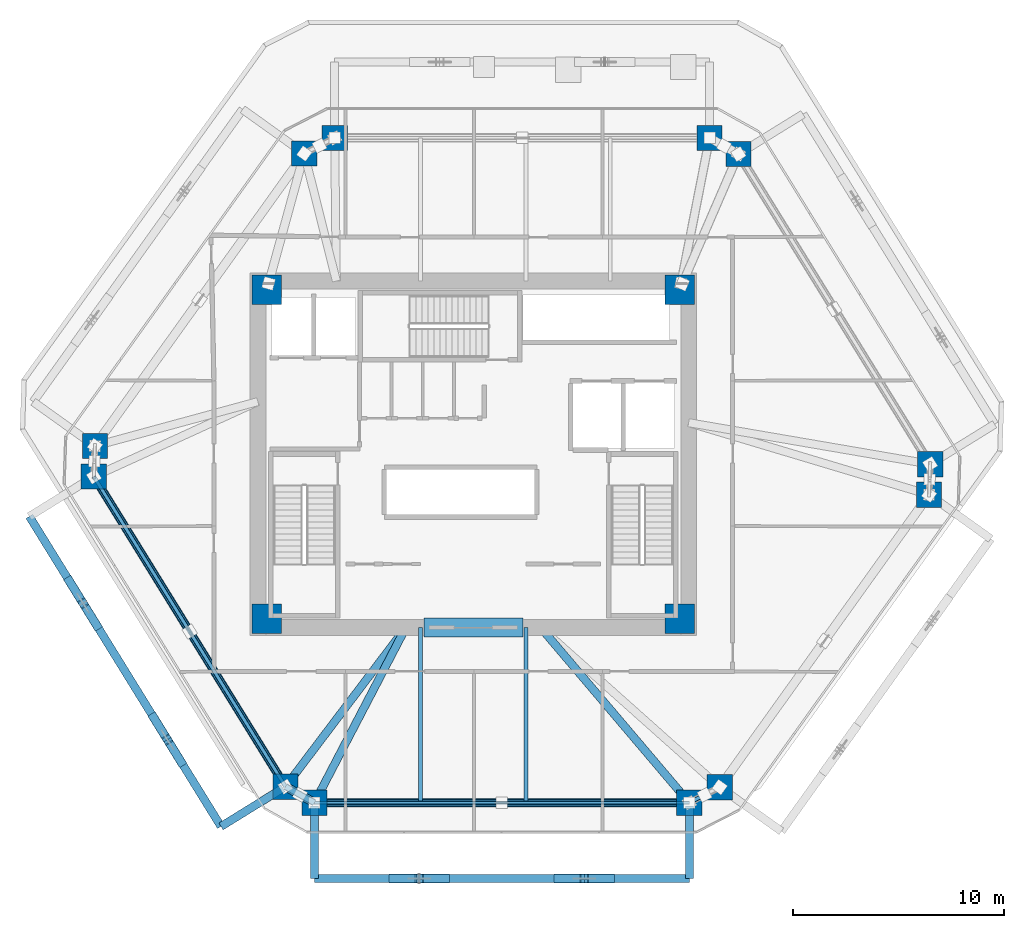
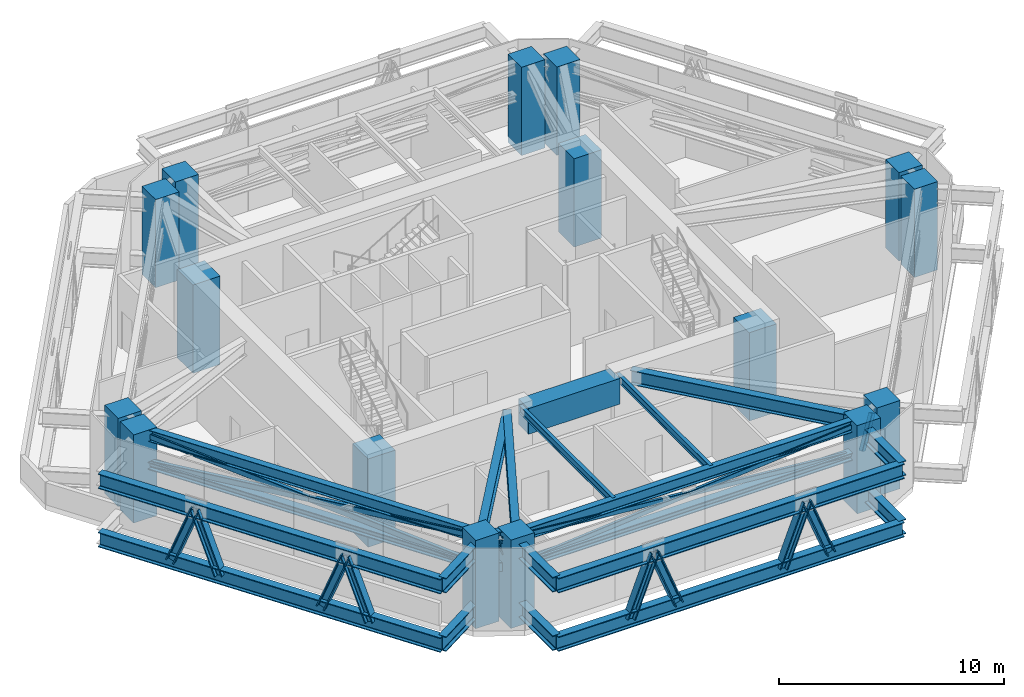
# One storey, part 1 of 11: 20 members, 19 beams, 16 columns.
"""IFC4 building model written with IfcOpenShell, lengths in metres."""

from ifc_helpers import new_model, si_unit, direction, frame, origin, origin_2d, place, context, subcontext, project, spatial, rectangle, hollow_rectangle, i_section, extrude, source, transform, mapped, material, material_profile, profile_set, type_object, type_shapes, element, save


model = new_model("IFC4")

# Units and contexts
model_context = context("Model", 3, precision=1e-05, world=origin(), true_north=direction((0.0, 1.0)))
body_context = subcontext(model_context, "Body", "Model", "MODEL_VIEW")
ifc_project = project(units=[si_unit("LENGTHUNIT", "METRE"), si_unit("AREAUNIT", "SQUARE_METRE"), si_unit("VOLUMEUNIT", "CUBIC_METRE"), si_unit("PLANEANGLEUNIT", "RADIAN"), si_unit("MASSUNIT", "GRAM", prefix="KILO")], contexts=[model_context])

# Site, building, storey
site_placement = place(None, origin())
site = spatial("IfcSite", under=ifc_project, at=site_placement, CompositionType="ELEMENT")
building_placement = place(site_placement, origin())
building = spatial("IfcBuilding", under=site, at=building_placement, Name="Durnholm Broadcast Tower", CompositionType="ELEMENT")
storey_placement = place(building_placement, frame((0.0, 0.0, 150.300048828125)))
storey = spatial("IfcBuildingStorey", under=building, at=storey_placement, Name="L41", CompositionType="ELEMENT", Elevation=150.300048828125)

# Columns
ifc_material_1 = material(Name="Concrete C70/85", Category="concrete")
ifc_material_profile_1 = material_profile(ifc_material_1, rectangle(XDim=1.39990234375, YDim=1.39990234375, at=origin_2d()), Name="RC1400X1400")
ifc_profile_set_1 = profile_set([ifc_material_profile_1], Name="Concrete C70/85")
column_type_1 = type_object("IfcColumnType", Name="COL-CC-1400", PredefinedType="COLUMN", material=ifc_profile_set_1)
shared_shape_1 = source(origin(), body_context, "Body", "SweptSolid", [
    extrude(rectangle(XDim=1.39990234375, YDim=1.39990234375, at=origin_2d()), origin(), (0.0, 0.0, 1.0), 4.800048828125),
])
type_shapes(column_type_1, [shared_shape_1])
for number, where, z_axis, x_axis, name in (
    (1, (-9.800048828125, -7.800048828125, -0.320068359375), (0.0, 0.0, 1.0), (1.0, 0.0, 0.0), "L41 core corner column 1"),
    (2, (9.800048828125, -7.800048828125, -0.320068359375), (0.0, 0.0, 1.0), (1.0, 0.0, 0.0), "L41 core corner column 2"),
    (3, (9.800048828125, 7.800048828125, -0.320068359375), (0.0, 0.0, 1.0), (1.0, 0.0, 0.0), "L41 core corner column 3"),
    (4, (-9.800048828125, 7.800048828125, -0.320068359375), (0.0, 0.0, 1.0), (1.0, 0.0, 0.0), "L41 core corner column 4"),
):
    element("IfcColumn", number, at=place(storey_placement, frame(where, z_axis=z_axis, x_axis=x_axis)), inside=storey, type_object=column_type_1, Name=name, PredefinedType="COLUMN", context=body_context, shape_type="MappedRepresentation", body=[
        mapped(shared_shape_1, transform((0.0, 0.0, 0.0), x_axis=(1.0, 0.0, 0.0), y_axis=(0.0, 1.0, 0.0), z_axis=(0.0, 0.0, 1.0), scale=1.0)),
    ])
ifc_material_profile_2 = material_profile(ifc_material_1, rectangle(XDim=1.199951171875, YDim=1.199951171875, at=origin_2d()), Name="RC1200X1200")
ifc_profile_set_2 = profile_set([ifc_material_profile_2], Name="Concrete C70/85")
column_type_2 = type_object("IfcColumnType", Name="COL-CC-1200", PredefinedType="COLUMN", material=ifc_profile_set_2)
shared_shape_2 = source(origin(), body_context, "Body", "SweptSolid", [
    extrude(rectangle(XDim=1.199951171875, YDim=1.199951171875, at=origin_2d()), origin(), (0.0, 0.0, 1.0), 4.800048828125),
])
type_shapes(column_type_2, [shared_shape_2])
for number, where, z_axis, x_axis, name in (
    (5, (-8.91259765625, -15.7763671875, -0.320068359375), (0.0, 0.0, 1.0), (1.0, 0.0, 0.0), "L41 perimeter hexagonal tube column 01"),
    (6, (-18.009033203125, -1.056640625, -0.320068359375), (0.0, 0.0, 1.0), (1.0, 0.0, 0.0), "L41 perimeter hexagonal tube column 02"),
    (7, (-17.9599609375, 0.3955078125, -0.320068359375), (0.0, 0.0, 1.0), (1.0, 0.0, 0.0), "L41 perimeter hexagonal tube column 03"),
    (8, (-8.021728515625, 14.2763671875, -0.320068359375), (0.0, 0.0, 1.0), (1.0, 0.0, 0.0), "L41 perimeter hexagonal tube column 04"),
    (9, (-6.57861328125, 15.01806640625, -0.320068359375), (0.0, 0.0, 1.0), (1.0, 0.0, 0.0), "L41 perimeter hexagonal tube column 05"),
    (10, (11.217529296875, 15.01806640625, -0.320068359375), (0.0, 0.0, 1.0), (1.0, 0.0, 0.0), "L41 perimeter hexagonal tube column 06"),
    (11, (12.5908203125, 14.252197265625, -0.320068359375), (0.0, 0.0, 1.0), (1.0, 0.0, 0.0), "L41 perimeter hexagonal tube column 07"),
    (12, (21.68701171875, -0.46728515625, -0.320068359375), (0.0, 0.0, 1.0), (1.0, 0.0, 0.0), "L41 perimeter hexagonal tube column 08"),
    (13, (21.637939453125, -1.919677734375, -0.320068359375), (0.0, 0.0, 1.0), (1.0, 0.0, 0.0), "L41 perimeter hexagonal tube column 09"),
    (14, (11.69970703125, -15.80029296875, -0.320068359375), (0.0, 0.0, 1.0), (1.0, 0.0, 0.0), "L41 perimeter hexagonal tube column 10"),
    (15, (10.256591796875, -16.5419921875, -0.320068359375), (0.0, 0.0, 1.0), (1.0, 0.0, 0.0), "L41 perimeter hexagonal tube column 11"),
    (16, (-7.53955078125, -16.5419921875, -0.320068359375), (0.0, 0.0, 1.0), (1.0, 0.0, 0.0), "L41 perimeter hexagonal tube column 12"),
):
    element("IfcColumn", number, at=place(storey_placement, frame(where, z_axis=z_axis, x_axis=x_axis)), inside=storey, type_object=column_type_2, Name=name, PredefinedType="COLUMN", context=body_context, shape_type="MappedRepresentation", body=[
        mapped(shared_shape_2, transform((0.0, 0.0, 0.0), x_axis=(1.0, 0.0, 0.0), y_axis=(0.0, 1.0, 0.0), z_axis=(0.0, 0.0, 1.0), scale=1.0)),
    ])

# Beams
ifc_material_profile_3 = material_profile(ifc_material_1, rectangle(XDim=0.89990234375, YDim=1.39990234375, at=origin_2d()), Name="RC900X1400")
ifc_profile_set_3 = profile_set([ifc_material_profile_3], Name="Concrete C70/85")
beam_type_1 = type_object("IfcBeamType", Name="BM-CB-RC1400", PredefinedType="LINTEL", material=ifc_profile_set_3)
shared_shape_3 = source(origin(), body_context, "Body", "SweptSolid", [
    extrude(rectangle(XDim=0.89990234375, YDim=1.39990234375, at=origin_2d()), origin(), (0.0, 0.0, 1.0), 4.7001953125),
])
type_shapes(beam_type_1, [shared_shape_3])
beam_1_placement = place(storey_placement, frame((-2.35009765625, -8.22509765625, 3.77490234375), z_axis=(1.0, 0.0, 0.0), x_axis=(0.0, 1.0, 0.0)))
element("IfcBeam", 17, at=beam_1_placement, inside=storey, type_object=beam_type_1, Name="L41 south core coupling lintel beam CB-S", PredefinedType="LINTEL", context=body_context, shape_type="MappedRepresentation", body=[
    mapped(shared_shape_3, transform((0.0, 0.0, 0.0), x_axis=(1.0, 0.0, 0.0), y_axis=(0.0, 1.0, 0.0), z_axis=(0.0, 0.0, 1.0), scale=1.0)),
])
ifc_material_2 = material(Name="Steel ASTM A992 Grade 50", Category="steel")
ifc_material_profile_4 = material_profile(ifc_material_2, i_section(OverallWidth=0.385009765625, OverallDepth=0.802978515625, WebThickness=0.023681640625, FlangeThickness=0.0419921875, FilletRadius=0.032958984375, at=origin_2d()), Name="W30X261")
ifc_profile_set_4 = profile_set([ifc_material_profile_4], Name="Steel ASTM A992 Grade 50")
beam_type_2 = type_object("IfcBeamType", Name="BM-EXO-TIE", PredefinedType="USERDEFINED", material=ifc_profile_set_4)
shared_shape_4 = source(origin(), body_context, "Body", "SweptSolid", [
    extrude(i_section(OverallWidth=0.385009765625, OverallDepth=0.802978515625, WebThickness=0.023681640625, FlangeThickness=0.0419921875, FilletRadius=0.032958984375, at=origin_2d()), origin(), (0.0, 0.0, 1.0), 3.4560546875),
])
for number, where, z_axis, x_axis, name in (
    (18, (-7.53955078125, -16.68603515625, 0.550048828125), (0.0, -1.0, 0.0), (1.0, 0.0, 0.0), "L41 zone-base exoskeleton stand-off tie bracket F1.1"),
    (19, (10.256591796875, -16.68603515625, 0.550048828125), (0.0, -1.0, 0.0), (1.0, 0.0, 0.0), "L41 zone-base exoskeleton stand-off tie bracket F1.2"),
    (20, (-7.53955078125, -16.68603515625, 3.728515625), (0.0, -1.0, 0.0), (1.0, 0.0, 0.0), "L41 exoskeleton stand-off tie bracket F1.1"),
    (21, (10.256591796875, -16.68603515625, 3.728515625), (0.0, -1.0, 0.0), (1.0, 0.0, 0.0), "L41 exoskeleton stand-off tie bracket F1.2"),
    (22, (-9.03515625, -15.85205078125, 0.550048828125), (-0.850693939061, -0.525661318764, 0.0), (0.525661318764, -0.850693939061, 0.0), "L41 zone-base exoskeleton stand-off tie bracket F6.2"),
    (23, (-9.03515625, -15.85205078125, 3.728515625), (-0.850693939061, -0.525661318764, 0.0), (0.525661318764, -0.850693939061, 0.0), "L41 exoskeleton stand-off tie bracket F6.2"),
):
    element("IfcBeam", number, at=place(storey_placement, frame(where, z_axis=z_axis, x_axis=x_axis)), inside=storey, type_object=beam_type_2, Name=name, ObjectType="GIRDER", PredefinedType="USERDEFINED", context=body_context, shape_type="MappedRepresentation", body=[
        mapped(shared_shape_4, transform((0.0, 0.0, 0.0), x_axis=(1.0, 0.0, 0.0), y_axis=(0.0, 1.0, 0.0), z_axis=(0.0, 0.0, 1.0), scale=1.0)),
    ])
ifc_material_profile_5 = material_profile(ifc_material_2, i_section(OverallWidth=0.3251953125, OverallDepth=0.6162109375, WebThickness=0.013916015625, FlangeThickness=0.021484375, FilletRadius=0.02783203125, at=origin_2d()), Name="W24X117")
ifc_profile_set_5 = profile_set([ifc_material_profile_5], Name="Steel ASTM A992 Grade 50")
beam_type_3 = type_object("IfcBeamType", Name="STL-SP-W24X117", PredefinedType="SPANDREL", material=ifc_profile_set_5)
shared_shape_5 = source(origin(), body_context, "Body", "SweptSolid", [
    extrude(i_section(OverallWidth=0.3251953125, OverallDepth=0.6162109375, WebThickness=0.013916015625, FlangeThickness=0.021484375, FilletRadius=0.02783203125, at=origin_2d()), origin(), (0.0, 0.0, 1.0), 17.3037109375),
])
beam_2_placement = place(storey_placement, frame((-8.91259765625, -15.7763671875, 4.15673828125), z_axis=(-0.525695324718, 0.850672925142, 0.0), x_axis=(-0.850672925142, -0.525695324718, 0.0)))
element("IfcBeam", 24, at=beam_2_placement, inside=storey, type_object=beam_type_3, Name="L41 perimeter spandrel girder 01", PredefinedType="SPANDREL", context=body_context, shape_type="MappedRepresentation", body=[
    mapped(shared_shape_5, transform((0.0, 0.0, 0.0), x_axis=(1.0, 0.0, 0.0), y_axis=(0.0, 1.0, 0.0), z_axis=(0.0, 0.0, 1.0), scale=1.0)),
])
shared_shape_6 = source(origin(), body_context, "Body", "SweptSolid", [
    extrude(i_section(OverallWidth=0.3251953125, OverallDepth=0.6162109375, WebThickness=0.013916015625, FlangeThickness=0.021484375, FilletRadius=0.02783203125, at=origin_2d()), origin(), (0.0, 0.0, 1.0), 17.796142578125),
])
beam_3_placement = place(storey_placement, frame((10.256591796875, -16.5419921875, 4.15673828125), z_axis=(-1.0, 0.0, 0.0), x_axis=(0.0, -1.0, 0.0)))
element("IfcBeam", 25, at=beam_3_placement, inside=storey, type_object=beam_type_3, Name="L41 perimeter spandrel girder 11", PredefinedType="SPANDREL", context=body_context, shape_type="MappedRepresentation", body=[
    mapped(shared_shape_6, transform((0.0, 0.0, 0.0), x_axis=(1.0, 0.0, 0.0), y_axis=(0.0, 1.0, 0.0), z_axis=(0.0, 0.0, 1.0), scale=1.0)),
])
shared_shape_7 = source(origin(), body_context, "Body", "SweptSolid", [
    extrude(i_section(OverallWidth=0.3251953125, OverallDepth=0.6162109375, WebThickness=0.013916015625, FlangeThickness=0.021484375, FilletRadius=0.02783203125, at=origin_2d()), origin(), (0.0, 0.0, 1.0), 1.572021484375),
])
type_shapes(beam_type_3, [shared_shape_5, shared_shape_6, shared_shape_7])
beam_4_placement = place(storey_placement, frame((-7.53955078125, -16.5419921875, 4.15673828125), z_axis=(-0.873394362663, 0.487013641769, 0.0), x_axis=(-0.487013641769, -0.873394362663, 0.0)))
element("IfcBeam", 26, at=beam_4_placement, inside=storey, type_object=beam_type_3, Name="L41 perimeter spandrel girder 12", PredefinedType="SPANDREL", context=body_context, shape_type="MappedRepresentation", body=[
    mapped(shared_shape_7, transform((0.0, 0.0, 0.0), x_axis=(1.0, 0.0, 0.0), y_axis=(0.0, 1.0, 0.0), z_axis=(0.0, 0.0, 1.0), scale=1.0)),
])
ifc_material_profile_6 = material_profile(ifc_material_2, i_section(OverallWidth=0.380615234375, OverallDepth=0.773193359375, WebThickness=0.0166015625, FlangeThickness=0.027099609375, FilletRadius=0.032958984375, at=origin_2d()), Name="W30X173")
ifc_profile_set_6 = profile_set([ifc_material_profile_6], Name="Steel ASTM A992 Grade 50")
beam_type_4 = type_object("IfcBeamType", Name="STL-GR-W30X173", PredefinedType="USERDEFINED", material=ifc_profile_set_6)
shared_shape_8 = source(origin(), body_context, "Body", "SweptSolid", [
    extrude(i_section(OverallWidth=0.380615234375, OverallDepth=0.773193359375, WebThickness=0.0166015625, FlangeThickness=0.027099609375, FilletRadius=0.032958984375, at=origin_2d()), origin(), (0.0, 0.0, 1.0), 9.46875),
])
beam_5_placement = place(storey_placement, frame((-3.199951171875, -8.22509765625, 4.078369140625), z_axis=(-0.603319922553, -0.797499260847, 0.0), x_axis=(0.797499260847, -0.603319922553, 0.0)))
element("IfcBeam", 27, at=beam_5_placement, inside=storey, type_object=beam_type_4, Name="L41 radial primary floor girder 01", ObjectType="GIRDER", PredefinedType="USERDEFINED", context=body_context, shape_type="MappedRepresentation", body=[
    mapped(shared_shape_8, transform((0.0, 0.0, 0.0), x_axis=(1.0, 0.0, 0.0), y_axis=(0.0, 1.0, 0.0), z_axis=(0.0, 0.0, 1.0), scale=1.0)),
])
shared_shape_9 = source(origin(), body_context, "Body", "SweptSolid", [
    extrude(i_section(OverallWidth=0.380615234375, OverallDepth=0.773193359375, WebThickness=0.0166015625, FlangeThickness=0.027099609375, FilletRadius=0.032958984375, at=origin_2d()), origin(), (0.0, 0.0, 1.0), 10.9072265625),
])
beam_6_placement = place(storey_placement, frame((3.199951171875, -8.22509765625, 4.078369140625), z_axis=(0.646971138264, -0.762514489209, 0.0), x_axis=(0.762514489209, 0.646971138264, 0.0)))
element("IfcBeam", 28, at=beam_6_placement, inside=storey, type_object=beam_type_4, Name="L41 radial primary floor girder 11", ObjectType="GIRDER", PredefinedType="USERDEFINED", context=body_context, shape_type="MappedRepresentation", body=[
    mapped(shared_shape_9, transform((0.0, 0.0, 0.0), x_axis=(1.0, 0.0, 0.0), y_axis=(0.0, 1.0, 0.0), z_axis=(0.0, 0.0, 1.0), scale=1.0)),
])
shared_shape_10 = source(origin(), body_context, "Body", "SweptSolid", [
    extrude(i_section(OverallWidth=0.380615234375, OverallDepth=0.773193359375, WebThickness=0.0166015625, FlangeThickness=0.027099609375, FilletRadius=0.032958984375, at=origin_2d()), origin(), (0.0, 0.0, 1.0), 9.381103515625),
])
type_shapes(beam_type_4, [shared_shape_8, shared_shape_9, shared_shape_10])
beam_7_placement = place(storey_placement, frame((-3.199951171875, -8.22509765625, 4.078369140625), z_axis=(-0.462595357135, -0.886569532274, 0.0), x_axis=(0.886569532274, -0.462595357135, 0.0)))
element("IfcBeam", 29, at=beam_7_placement, inside=storey, type_object=beam_type_4, Name="L41 radial primary floor girder 12", ObjectType="GIRDER", PredefinedType="USERDEFINED", context=body_context, shape_type="MappedRepresentation", body=[
    mapped(shared_shape_10, transform((0.0, 0.0, 0.0), x_axis=(1.0, 0.0, 0.0), y_axis=(0.0, 1.0, 0.0), z_axis=(0.0, 0.0, 1.0), scale=1.0)),
])
ifc_material_profile_7 = material_profile(ifc_material_2, i_section(OverallWidth=0.177734375, OverallDepth=0.40673828125, WebThickness=0.0078125, FlangeThickness=0.0126953125, FilletRadius=0.01904296875, at=origin_2d()), Name="W16X40")
ifc_profile_set_7 = profile_set([ifc_material_profile_7], Name="Steel ASTM A992 Grade 50")
beam_type_5 = type_object("IfcBeamType", Name="STL-BJ-W16X40", PredefinedType="JOIST", material=ifc_profile_set_7)
shared_shape_11 = source(origin(), body_context, "Body", "SweptSolid", [
    extrude(i_section(OverallWidth=0.177734375, OverallDepth=0.40673828125, WebThickness=0.0078125, FlangeThickness=0.0126953125, FilletRadius=0.01904296875, at=origin_2d()), origin(), (0.0, 0.0, 1.0), 8.31689453125),
])
type_shapes(beam_type_5, [shared_shape_11])
for number, where, z_axis, x_axis, name in (
    (30, (-2.5, -16.5419921875, 4.26171875), (0.0, 1.0, 0.0), (-1.0, 0.0, 0.0), "L41 secondary floor joist 5.1"),
    (31, (2.5, -16.5419921875, 4.26171875), (0.0, 1.0, 0.0), (-1.0, 0.0, 0.0), "L41 secondary floor joist 6.1"),
):
    element("IfcBeam", number, at=place(storey_placement, frame(where, z_axis=z_axis, x_axis=x_axis)), inside=storey, type_object=beam_type_5, Name=name, PredefinedType="JOIST", context=body_context, shape_type="MappedRepresentation", body=[
        mapped(shared_shape_11, transform((0.0, 0.0, 0.0), x_axis=(1.0, 0.0, 0.0), y_axis=(0.0, 1.0, 0.0), z_axis=(0.0, 0.0, 1.0), scale=1.0)),
    ])

# Members
ifc_material_profile_8 = material_profile(ifc_material_2, i_section(OverallWidth=0.4013671875, OverallDepth=0.3994140625, WebThickness=0.02490234375, FlangeThickness=0.03955078125, FilletRadius=0.030517578125, at=origin_2d()), Name="W14X211")
ifc_profile_set_8 = profile_set([ifc_material_profile_8], Name="Steel ASTM A992 Grade 50")
member_type_1 = type_object("IfcMemberType", Name="STL-TC-W14X211", PredefinedType="CHORD", material=ifc_profile_set_8)
shared_shape_12 = source(origin(), body_context, "Body", "SweptSolid", [
    extrude(i_section(OverallWidth=0.4013671875, OverallDepth=0.3994140625, WebThickness=0.02490234375, FlangeThickness=0.03955078125, FilletRadius=0.030517578125, at=origin_2d()), origin(), (0.0, 0.0, 1.0), 17.3037109375),
])
member_1_placement = place(storey_placement, frame((-8.91259765625, -15.7763671875, 2.550048828125), z_axis=(-0.525695324718, 0.850672925142, 0.0), x_axis=(-0.850672925142, -0.525695324718, 0.0)))
element("IfcMember", 32, at=member_1_placement, inside=storey, type_object=member_type_1, Name="L41 perimeter belt-truss bottom chord 01", PredefinedType="CHORD", context=body_context, shape_type="MappedRepresentation", body=[
    mapped(shared_shape_12, transform((0.0, 0.0, 0.0), x_axis=(1.0, 0.0, 0.0), y_axis=(0.0, 1.0, 0.0), z_axis=(0.0, 0.0, 1.0), scale=1.0)),
])
ifc_material_3 = material(Name="Steel ASTM A500 Grade C", Category="steel")
ifc_material_profile_9 = material_profile(ifc_material_3, hollow_rectangle(XDim=0.203125, YDim=0.3046875, WallThickness=0.01171875, InnerFilletRadius=0.017578125, OuterFilletRadius=0.029541015625, at=origin_2d()), Name="HSS12X8X1/2")
ifc_profile_set_9 = profile_set([ifc_material_profile_9], Name="Steel ASTM A500 Grade C")
member_type_2 = type_object("IfcMemberType", Name="STL-TB-HSS12X8", PredefinedType="BRACE", material=ifc_profile_set_9)
shared_shape_13 = source(origin(), body_context, "Body", "SweptSolid", [
    extrude(hollow_rectangle(XDim=0.203125, YDim=0.3046875, WallThickness=0.01171875, InnerFilletRadius=0.017578125, OuterFilletRadius=0.029541015625, at=origin_2d()), origin(), (0.0, 0.0, 1.0), 17.37548828125),
])
member_2_placement = place(storey_placement, frame((-8.91259765625, -15.7763671875, 2.550048828125), z_axis=(-0.523517876053, 0.847149407739, 0.090922573766), x_axis=(-0.850672925142, -0.525695324718, 0.0)))
element("IfcMember", 33, at=member_2_placement, inside=storey, type_object=member_type_2, Name="L41 belt-truss continuous X-diagonal brace 01", PredefinedType="BRACE", context=body_context, shape_type="MappedRepresentation", body=[
    mapped(shared_shape_13, transform((0.0, 0.0, 0.0), x_axis=(1.0, 0.0, 0.0), y_axis=(0.0, 1.0, 0.0), z_axis=(0.0, 0.0, 1.0), scale=1.0)),
])
shared_shape_14 = source(origin(), body_context, "Body", "SweptSolid", [
    extrude(hollow_rectangle(XDim=0.203125, YDim=0.3046875, WallThickness=0.01171875, InnerFilletRadius=0.017578125, OuterFilletRadius=0.029541015625, at=origin_2d()), origin(), (0.0, 0.0, 1.0), 8.687744140625),
])
member_3_placement = place(storey_placement, frame((-18.009033203125, -1.056640625, 2.550048828125), z_axis=(0.523508344831, -0.847156721417, 0.090909307828), x_axis=(0.850679234696, 0.525685114548, 0.0)))
element("IfcMember", 34, at=member_3_placement, inside=storey, type_object=member_type_2, Name="L41 belt-truss split X-diagonal segment 01.1", PredefinedType="BRACE", context=body_context, shape_type="MappedRepresentation", body=[
    mapped(shared_shape_14, transform((0.0, 0.0, 0.0), x_axis=(1.0, 0.0, 0.0), y_axis=(0.0, 1.0, 0.0), z_axis=(0.0, 0.0, 1.0), scale=1.0)),
])
shared_shape_15 = source(origin(), body_context, "Body", "SweptSolid", [
    extrude(hollow_rectangle(XDim=0.203125, YDim=0.3046875, WallThickness=0.01171875, InnerFilletRadius=0.017578125, OuterFilletRadius=0.029541015625, at=origin_2d()), origin(), (0.0, 0.0, 1.0), 8.68798828125),
])
member_4_placement = place(storey_placement, frame((-13.4609375, -8.41650390625, 3.33984375), z_axis=(0.523527406942, -0.847142093917, 0.090935839445), x_axis=(0.850666615559, 0.52570553466, 0.0)))
element("IfcMember", 35, at=member_4_placement, inside=storey, type_object=member_type_2, Name="L41 belt-truss split X-diagonal segment 01.2", PredefinedType="BRACE", context=body_context, shape_type="MappedRepresentation", body=[
    mapped(shared_shape_15, transform((0.0, 0.0, 0.0), x_axis=(1.0, 0.0, 0.0), y_axis=(0.0, 1.0, 0.0), z_axis=(0.0, 0.0, 1.0), scale=1.0)),
])
shared_shape_16 = source(origin(), body_context, "Body", "SweptSolid", [
    extrude(hollow_rectangle(XDim=0.203125, YDim=0.3046875, WallThickness=0.01171875, InnerFilletRadius=0.017578125, OuterFilletRadius=0.029541015625, at=origin_2d()), origin(), (0.0, 0.0, 1.0), 1.776123046875),
])
type_shapes(member_type_2, [shared_shape_13, shared_shape_14, shared_shape_15, shared_shape_16])
member_5_placement = place(storey_placement, frame((10.256591796875, -16.5419921875, 2.550048828125), z_axis=(0.406347927491, 0.20881004799, 0.889539052365), x_axis=(-0.457055642428, 0.889438103369, 0.0)))
element("IfcMember", 36, at=member_5_placement, inside=storey, type_object=member_type_2, Name="L41 belt-truss chevron brace 10.2", PredefinedType="BRACE", context=body_context, shape_type="MappedRepresentation", body=[
    mapped(shared_shape_16, transform((0.0, 0.0, 0.0), x_axis=(1.0, 0.0, 0.0), y_axis=(0.0, 1.0, 0.0), z_axis=(0.0, 0.0, 1.0), scale=1.0)),
])
shared_shape_17 = source(origin(), body_context, "Body", "SweptSolid", [
    extrude(i_section(OverallWidth=0.4013671875, OverallDepth=0.3994140625, WebThickness=0.02490234375, FlangeThickness=0.03955078125, FilletRadius=0.030517578125, at=origin_2d()), origin(), (0.0, 0.0, 1.0), 17.796142578125),
])
type_shapes(member_type_1, [shared_shape_12, shared_shape_17])
member_6_placement = place(storey_placement, frame((10.256591796875, -16.5419921875, 2.550048828125), z_axis=(-1.0, 0.0, 0.0), x_axis=(0.0, -1.0, 0.0)))
element("IfcMember", 37, at=member_6_placement, inside=storey, type_object=member_type_1, Name="L41 perimeter belt-truss bottom chord 11", PredefinedType="CHORD", context=body_context, shape_type="MappedRepresentation", body=[
    mapped(shared_shape_17, transform((0.0, 0.0, 0.0), x_axis=(1.0, 0.0, 0.0), y_axis=(0.0, 1.0, 0.0), z_axis=(0.0, 0.0, 1.0), scale=1.0)),
])
ifc_material_profile_10 = material_profile(ifc_material_3, hollow_rectangle(XDim=0.15234375, YDim=0.25390625, WallThickness=0.0087890625, InnerFilletRadius=0.013427734375, OuterFilletRadius=0.022216796875, at=origin_2d()), Name="HSS10X6X3/8")
ifc_profile_set_10 = profile_set([ifc_material_profile_10], Name="Steel ASTM A500 Grade C")
member_type_3 = type_object("IfcMemberType", Name="STL-TB-HSS10X6", PredefinedType="BRACE", material=ifc_profile_set_10)
shared_shape_18 = source(origin(), body_context, "Body", "SweptSolid", [
    extrude(hollow_rectangle(XDim=0.15234375, YDim=0.25390625, WallThickness=0.0087890625, InnerFilletRadius=0.013427734375, OuterFilletRadius=0.022216796875, at=origin_2d()), origin(), (0.0, 0.0, 1.0), 17.8662109375),
])
member_7_placement = place(storey_placement, frame((10.256591796875, -16.5419921875, 2.550048828125), z_axis=(-0.996082730648, 0.0, 0.088426204849), x_axis=(0.0, -1.0, 0.0)))
element("IfcMember", 38, at=member_7_placement, inside=storey, type_object=member_type_3, Name="L41 belt-truss continuous X-diagonal brace 11", PredefinedType="BRACE", context=body_context, shape_type="MappedRepresentation", body=[
    mapped(shared_shape_18, transform((0.0, 0.0, 0.0), x_axis=(1.0, 0.0, 0.0), y_axis=(0.0, 1.0, 0.0), z_axis=(0.0, 0.0, 1.0), scale=1.0)),
])
shared_shape_19 = source(origin(), body_context, "Body", "SweptSolid", [
    extrude(hollow_rectangle(XDim=0.15234375, YDim=0.25390625, WallThickness=0.0087890625, InnerFilletRadius=0.013427734375, OuterFilletRadius=0.022216796875, at=origin_2d()), origin(), (0.0, 0.0, 1.0), 8.93310546875),
])
member_8_placement = place(storey_placement, frame((-7.53955078125, -16.5419921875, 2.550048828125), z_axis=(0.996084040983, 0.0, 0.088411443262), x_axis=(0.0, 1.0, 0.0)))
element("IfcMember", 39, at=member_8_placement, inside=storey, type_object=member_type_3, Name="L41 belt-truss split X-diagonal segment 11.1", PredefinedType="BRACE", context=body_context, shape_type="MappedRepresentation", body=[
    mapped(shared_shape_19, transform((0.0, 0.0, 0.0), x_axis=(1.0, 0.0, 0.0), y_axis=(0.0, 1.0, 0.0), z_axis=(0.0, 0.0, 1.0), scale=1.0)),
])
shared_shape_20 = source(origin(), body_context, "Body", "SweptSolid", [
    extrude(hollow_rectangle(XDim=0.15234375, YDim=0.25390625, WallThickness=0.0087890625, InnerFilletRadius=0.013427734375, OuterFilletRadius=0.022216796875, at=origin_2d()), origin(), (0.0, 0.0, 1.0), 8.932861328125),
])
type_shapes(member_type_3, [shared_shape_18, shared_shape_19, shared_shape_20])
member_9_placement = place(storey_placement, frame((1.358642578125, -16.5419921875, 3.33984375), z_axis=(0.996081420063, 0.0, 0.088440966782), x_axis=(0.0, 1.0, 0.0)))
element("IfcMember", 40, at=member_9_placement, inside=storey, type_object=member_type_3, Name="L41 belt-truss split X-diagonal segment 11.2", PredefinedType="BRACE", context=body_context, shape_type="MappedRepresentation", body=[
    mapped(shared_shape_20, transform((0.0, 0.0, 0.0), x_axis=(1.0, 0.0, 0.0), y_axis=(0.0, 1.0, 0.0), z_axis=(0.0, 0.0, 1.0), scale=1.0)),
])
ifc_material_4 = material(Name="Steel ASTM A913 Grade 65", Category="steel")
ifc_material_profile_11 = material_profile(ifc_material_4, i_section(OverallWidth=0.412109375, OverallDepth=0.434814453125, WebThickness=0.035888671875, FlangeThickness=0.057373046875, FilletRadius=0.030517578125, at=origin_2d()), Name="W14X311")
ifc_profile_set_11 = profile_set([ifc_material_profile_11], Name="Steel ASTM A913 Grade 65")
member_type_4 = type_object("IfcMemberType", Name="STL-DG-W14X311", PredefinedType="BRACE", material=ifc_profile_set_11)
shared_shape_21 = source(origin(), body_context, "Body", "SweptSolid", [
    extrude(i_section(OverallWidth=0.412109375, OverallDepth=0.434814453125, WebThickness=0.035888671875, FlangeThickness=0.057373046875, FilletRadius=0.030517578125, at=origin_2d()), origin(), (0.0, 0.0, 1.0), 1.7646484375),
])
for number, where, z_axis, x_axis, name in (
    (41, (-7.53955078125, -16.5419921875, 2.550048828125), (-0.389058157876, 0.216942813495, 0.895304174827), (-0.487013641769, -0.873394362663, 0.0), "L41 belt-truss chevron brace 12.1"),
    (42, (-8.91259765625, -15.7763671875, 2.550048828125), (0.389058157876, -0.216942813495, 0.895304174827), (0.487013641769, 0.873394362663, 0.0), "L41 belt-truss chevron brace 12.2"),
):
    element("IfcMember", number, at=place(storey_placement, frame(where, z_axis=z_axis, x_axis=x_axis)), inside=storey, type_object=member_type_4, Name=name, PredefinedType="BRACE", context=body_context, shape_type="MappedRepresentation", body=[
        mapped(shared_shape_21, transform((0.0, 0.0, 0.0), x_axis=(1.0, 0.0, 0.0), y_axis=(0.0, 1.0, 0.0), z_axis=(0.0, 0.0, 1.0), scale=1.0)),
    ])
ifc_material_profile_12 = material_profile(ifc_material_3, hollow_rectangle(XDim=0.3046875, YDim=0.508056640625, WallThickness=0.014892578125, InnerFilletRadius=0.022216796875, OuterFilletRadius=0.037109375, at=origin_2d()), Name="HSS20X12X5/8")
ifc_profile_set_12 = profile_set([ifc_material_profile_12], Name="Steel ASTM A500 Grade C")
member_type_5 = type_object("IfcMemberType", Name="STL-TC-HSS20X12", PredefinedType="CHORD", material=ifc_profile_set_12)
shared_shape_22 = source(origin(), body_context, "Body", "SweptSolid", [
    extrude(hollow_rectangle(XDim=0.3046875, YDim=0.508056640625, WallThickness=0.014892578125, InnerFilletRadius=0.022216796875, OuterFilletRadius=0.037109375, at=origin_2d()), origin(), (0.0, 0.0, 1.0), 1.572021484375),
])
type_shapes(member_type_5, [shared_shape_22])
member_10_placement = place(storey_placement, frame((-7.53955078125, -16.5419921875, 2.550048828125), z_axis=(-0.873394362663, 0.487013641769, 0.0), x_axis=(-0.487013641769, -0.873394362663, 0.0)))
element("IfcMember", 43, at=member_10_placement, inside=storey, type_object=member_type_5, Name="L41 perimeter belt-truss bottom chord 12", PredefinedType="CHORD", context=body_context, shape_type="MappedRepresentation", body=[
    mapped(shared_shape_22, transform((0.0, 0.0, 0.0), x_axis=(1.0, 0.0, 0.0), y_axis=(0.0, 1.0, 0.0), z_axis=(0.0, 0.0, 1.0), scale=1.0)),
])

# Beams
shared_shape_23 = source(origin(), body_context, "Body", "SweptSolid", [
    extrude(i_section(OverallWidth=0.385009765625, OverallDepth=0.802978515625, WebThickness=0.023681640625, FlangeThickness=0.0419921875, FilletRadius=0.032958984375, at=origin_2d()), origin(), (0.0, 0.0, 1.0), 17.796142578125),
])
for number, where, z_axis, x_axis, name in (
    (44, (-7.53955078125, -20.14208984375, 0.550048828125), (1.0, 0.0, 0.0), (0.0, 1.0, 0.0), "L41 zone-base exoskeleton collector spandrel F1"),
    (45, (-7.53955078125, -20.14208984375, 3.728515625), (1.0, 0.0, 0.0), (0.0, 1.0, 0.0), "L41 exoskeleton collector spandrel F1"),
):
    element("IfcBeam", number, at=place(storey_placement, frame(where, z_axis=z_axis, x_axis=x_axis)), inside=storey, type_object=beam_type_2, Name=name, PredefinedType="SPANDREL", context=body_context, shape_type="MappedRepresentation", body=[
        mapped(shared_shape_23, transform((0.0, 0.0, 0.0), x_axis=(1.0, 0.0, 0.0), y_axis=(0.0, 1.0, 0.0), z_axis=(0.0, 0.0, 1.0), scale=1.0)),
    ])

# Members
shared_shape_24 = source(origin(), body_context, "Body", "SweptSolid", [
    extrude(i_section(OverallWidth=0.412109375, OverallDepth=0.434814453125, WebThickness=0.035888671875, FlangeThickness=0.057373046875, FilletRadius=0.030517578125, at=origin_2d()), origin(), (0.0, 0.0, 1.0), 3.409423828125),
])
for number, where, z_axis, x_axis, name in (
    (46, (-3.790283203125, -20.14208984375, 0.550048828125), (0.361827639405, 0.0, 0.932245010372), (0.0, 1.0, 0.0), "L41 stand-off diagrid brace F1.D1.1"),
    (47, (-17.8759765625, -8.120361328125, 0.550048828125), (-0.190185433672, 0.307834028372, 0.932238012417), (-0.850732935913, -0.525598203719, 0.0), "L41 stand-off diagrid brace F6.D1.2"),
    (48, (-15.170654296875, -12.497802734375, 0.550048828125), (0.190185433672, -0.307834028372, 0.932238012417), (0.850732935913, 0.525598203719, 0.0), "L41 stand-off diagrid brace F6.D2.1"),
):
    element("IfcMember", number, at=place(storey_placement, frame(where, z_axis=z_axis, x_axis=x_axis)), inside=storey, type_object=member_type_4, Name=name, PredefinedType="BRACE", context=body_context, shape_type="MappedRepresentation", body=[
        mapped(shared_shape_24, transform((0.0, 0.0, 0.0), x_axis=(1.0, 0.0, 0.0), y_axis=(0.0, 1.0, 0.0), z_axis=(0.0, 0.0, 1.0), scale=1.0)),
    ])
shared_shape_25 = source(origin(), body_context, "Body", "SweptSolid", [
    extrude(i_section(OverallWidth=0.412109375, OverallDepth=0.434814453125, WebThickness=0.035888671875, FlangeThickness=0.057373046875, FilletRadius=0.030517578125, at=origin_2d()), origin(), (0.0, 0.0, 1.0), 3.40966796875),
])
type_shapes(member_type_4, [shared_shape_21, shared_shape_24, shared_shape_25])
for number, where, z_axis, x_axis, name in (
    (49, (-1.32275390625, -20.14208984375, 0.550048828125), (-0.361889868816, 0.0, 0.932220855188), (0.0, -1.0, 0.0), "L41 stand-off diagrid brace F1.D1.2"),
    (50, (4.039794921875, -20.14208984375, 0.550048828125), (0.361889868816, 0.0, 0.932220855188), (0.0, 1.0, 0.0), "L41 stand-off diagrid brace F1.D2.1"),
    (51, (6.507568359375, -20.14208984375, 0.550048828125), (-0.361889868816, 0.0, 0.932220855188), (0.0, -1.0, 0.0), "L41 stand-off diagrid brace F1.D2.2"),
    (52, (-19.173095703125, -6.021240234375, 0.550048828125), (0.1902544482, -0.307829835459, 0.932225314686), (0.850644447398, 0.525741404219, 0.0), "L41 stand-off diagrid brace F6.D1.1"),
    (53, (-13.87353515625, -14.596923828125, 0.550048828125), (-0.1902544482, 0.307829835459, 0.932225314686), (-0.850644447398, -0.525741404219, 0.0), "L41 stand-off diagrid brace F6.D2.2"),
):
    element("IfcMember", number, at=place(storey_placement, frame(where, z_axis=z_axis, x_axis=x_axis)), inside=storey, type_object=member_type_4, Name=name, PredefinedType="BRACE", context=body_context, shape_type="MappedRepresentation", body=[
        mapped(shared_shape_25, transform((0.0, 0.0, 0.0), x_axis=(1.0, 0.0, 0.0), y_axis=(0.0, 1.0, 0.0), z_axis=(0.0, 0.0, 1.0), scale=1.0)),
    ])

# Beams
shared_shape_26 = source(origin(), body_context, "Body", "SweptSolid", [
    extrude(i_section(OverallWidth=0.385009765625, OverallDepth=0.802978515625, WebThickness=0.023681640625, FlangeThickness=0.0419921875, FilletRadius=0.032958984375, at=origin_2d()), origin(), (0.0, 0.0, 1.0), 17.303466796875),
])
type_shapes(beam_type_2, [shared_shape_4, shared_shape_23, shared_shape_26])
for number, where, z_axis, x_axis, name in (
    (54, (-21.071533203125, -2.94921875, 0.550048828125), (0.525701634347, -0.850669025911, 0.0), (0.850669025911, 0.525701634347, 0.0), "L41 zone-base exoskeleton collector spandrel F6"),
    (55, (-21.071533203125, -2.94921875, 3.728515625), (0.525701634347, -0.850669025911, 0.0), (0.850669025911, 0.525701634347, 0.0), "L41 exoskeleton collector spandrel F6"),
):
    element("IfcBeam", number, at=place(storey_placement, frame(where, z_axis=z_axis, x_axis=x_axis)), inside=storey, type_object=beam_type_2, Name=name, PredefinedType="SPANDREL", context=body_context, shape_type="MappedRepresentation", body=[
        mapped(shared_shape_26, transform((0.0, 0.0, 0.0), x_axis=(1.0, 0.0, 0.0), y_axis=(0.0, 1.0, 0.0), z_axis=(0.0, 0.0, 1.0), scale=1.0)),
    ])

save(model, "model.ifc")
